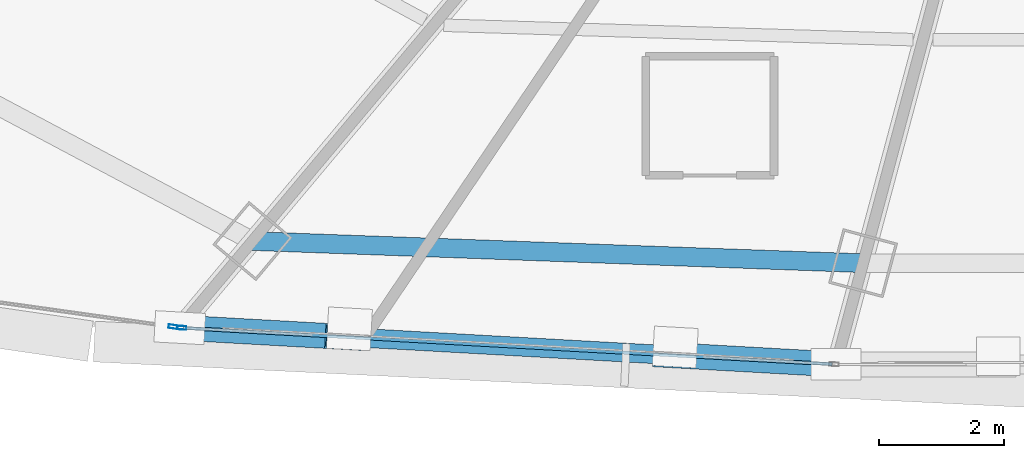
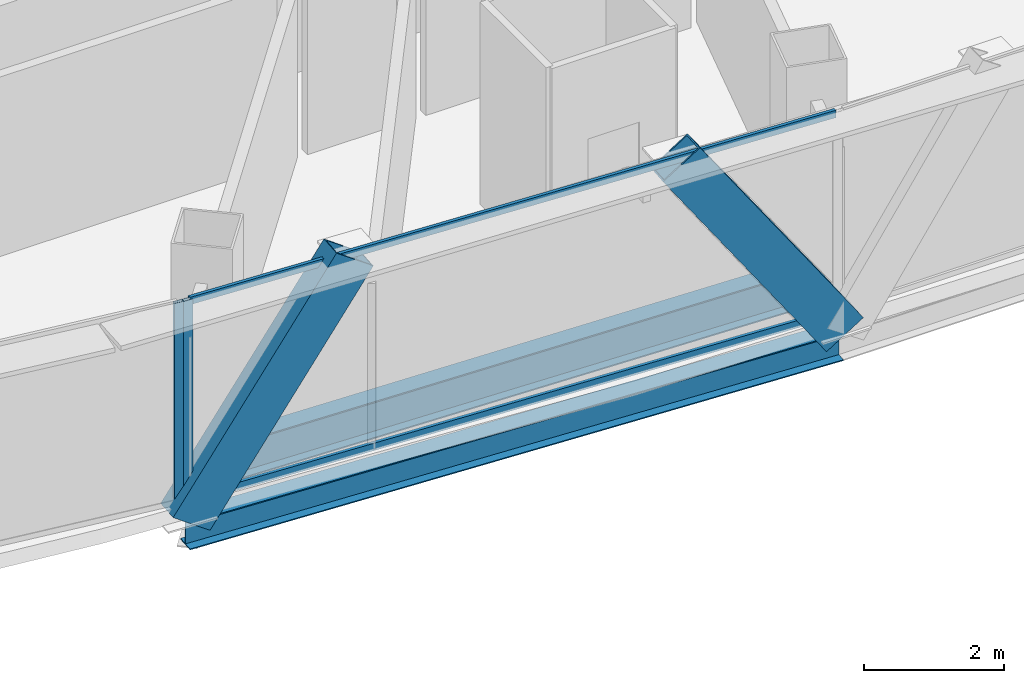
# One storey, part 6 of 37: 6 members, 2 beams, 2 elements without a shape of their own.
"""IFC4 building model written with IfcOpenShell, lengths in metres."""

from ifc_helpers import new_model, si_unit, direction, frame, origin, origin_2d, place, context, subcontext, project, spatial, hollow_rectangle, i_section, extrude, source, transform, mapped, material, layer, layer_set, material_profile, profile_set, type_object, element, aggregate, save


model = new_model("IFC4")

# Units and contexts
model_context = context("Model", 3, precision=1e-05, world=origin(), true_north=direction((0.0, 1.0)))
body_context = subcontext(model_context, "Body", "Model", "MODEL_VIEW")
ifc_project = project(units=[si_unit("LENGTHUNIT", "METRE"), si_unit("AREAUNIT", "SQUARE_METRE"), si_unit("VOLUMEUNIT", "CUBIC_METRE"), si_unit("PLANEANGLEUNIT", "RADIAN"), si_unit("MASSUNIT", "GRAM", prefix="KILO"), si_unit("THERMODYNAMICTEMPERATUREUNIT", "KELVIN"), si_unit("POWERUNIT", "WATT")], contexts=[model_context])

# Site, building, storey
site_placement = place(None, origin())
site = spatial("IfcSite", under=ifc_project, at=site_placement, CompositionType="ELEMENT")
building_placement = place(site_placement, origin())
building = spatial("IfcBuilding", under=site, at=building_placement, Name="Yunzhuo Pagoda Commons", CompositionType="ELEMENT")
storey_placement = place(building_placement, frame((0.0, 0.0, 207.56005859375)))
storey = spatial("IfcBuildingStorey", under=building, at=storey_placement, Name="L52", CompositionType="ELEMENT", Elevation=207.56005859375)

# Beams
ifc_material_1 = material(Name="Structural steel Q355B", Category="steel")
ifc_material_profile_1 = material_profile(ifc_material_1, i_section(OverallWidth=0.300048828125, OverallDepth=0.64990234375, WebThickness=0.012939453125, FlangeThickness=0.02197265625, at=origin_2d()), Name="Structural steel Q355B")
ifc_profile_set_1 = profile_set([ifc_material_profile_1], Name="Structural steel Q355B")
beam_type_1 = type_object("IfcBeamType", Name="B-RG2 Beam HN 650x300x13x22", PredefinedType="BEAM", material=ifc_profile_set_1)
shared_shape_1 = source(origin(), body_context, "Body", "SweptSolid", [
    extrude(i_section(OverallWidth=0.300048828125, OverallDepth=0.64990234375, WebThickness=0.012939453125, FlangeThickness=0.02197265625, at=origin_2d()), origin(), (0.0, 0.0, 1.0), 9.755126953125),
])
beam_1_placement = place(storey_placement, frame((33.538818359375, 16.4658203125, -0.5849609375), z_axis=(0.999343161351, -0.036238734258, 0.0), x_axis=(0.036238734258, 0.999343161351, 0.0)))
element("IfcBeam", 1, at=beam_1_placement, inside=storey, type_object=beam_type_1, Name="L52 column-ring beam 1", PredefinedType="BEAM", context=body_context, shape_type="MappedRepresentation", body=[
    mapped(shared_shape_1, transform((0.0, 0.0, 0.0), scale=1.0)),
])
ifc_material_profile_2 = material_profile(ifc_material_1, i_section(OverallWidth=0.300048828125, OverallDepth=0.488037109375, WebThickness=0.010986328125, FlangeThickness=0.01806640625, at=origin_2d()), Name="Structural steel Q355B")
ifc_profile_set_2 = profile_set([ifc_material_profile_2], Name="Structural steel Q355B")
beam_type_2 = type_object("IfcBeamType", Name="B-SP1 Beam HM 488x300x11x18", PredefinedType="BEAM", material=ifc_profile_set_2)
shared_shape_2 = source(origin(), body_context, "Body", "SweptSolid", [
    extrude(i_section(OverallWidth=0.300048828125, OverallDepth=0.488037109375, WebThickness=0.010986328125, FlangeThickness=0.01806640625, at=origin_2d()), origin(), (0.0, 0.0, 1.0), 10.49267578125),
])
beam_2_placement = place(storey_placement, frame((32.378173828125, 15.082763671875, -0.504150390625), z_axis=(0.998439593407, -0.055842441895, 0.0), x_axis=(0.055842441895, 0.998439593407, 0.0)))
element("IfcBeam", 2, at=beam_2_placement, inside=storey, type_object=beam_type_2, Name="L52 facade edge spandrel beam F1.1", PredefinedType="BEAM", context=body_context, shape_type="MappedRepresentation", body=[
    mapped(shared_shape_2, transform((0.0, 0.0, 0.0), scale=1.0)),
])

# Members
ifc_material_profile_3 = material_profile(ifc_material_1, hollow_rectangle(XDim=0.39990234375, YDim=0.719970703125, WallThickness=0.02392578125, at=origin_2d()), Name="Structural steel Q355B")
ifc_profile_set_3 = profile_set([ifc_material_profile_3], Name="Structural steel Q355B")
member_type_1 = type_object("IfcMemberType", Name="M-DL2 Brace BOX 720x400x24", PredefinedType="BRACE", material=ifc_profile_set_3)
shared_shape_3 = source(origin(), body_context, "Body", "SweptSolid", [
    extrude(hollow_rectangle(XDim=0.39990234375, YDim=0.719970703125, WallThickness=0.02392578125, at=origin_2d()), origin(), (0.0, 0.0, 1.0), 4.61767578125),
])
member_1_placement = place(storey_placement, frame((32.378173828125, 15.082763671875, -0.260009765625), z_axis=(0.567249812106, -0.031775294722, 0.822932549673), x_axis=(0.055928725238, 0.998434763865, 0.0)))
element("IfcMember", 3, at=member_1_placement, inside=storey, type_object=member_type_1, Name="L52 facade diamond brace F1.1L", PredefinedType="BRACE", context=body_context, shape_type="MappedRepresentation", body=[
    mapped(shared_shape_3, transform((0.0, 0.0, 0.0), scale=1.0)),
])
shared_shape_4 = source(origin(), body_context, "Body", "SweptSolid", [
    extrude(hollow_rectangle(XDim=0.39990234375, YDim=0.719970703125, WallThickness=0.02392578125, at=origin_2d()), origin(), (0.0, 0.0, 1.0), 4.617431640625),
])
member_2_placement = place(storey_placement, frame((42.8544921875, 14.496826171875, -0.260009765625), z_axis=(-0.567213952118, 0.03177624769, 0.822957230119), x_axis=(-0.05593392227, -0.998434472732, 0.0)))
element("IfcMember", 4, at=member_2_placement, inside=storey, type_object=member_type_1, Name="L52 facade diamond brace F1.1R", PredefinedType="BRACE", context=body_context, shape_type="MappedRepresentation", body=[
    mapped(shared_shape_4, transform((0.0, 0.0, 0.0), scale=1.0)),
])

# Curtain wall, member
ifc_material_2 = material(Name="Anodized aluminium 6063-T6", Category="aluminium")
ifc_layer = layer(ifc_material_2, 0.14990234375)
ifc_layer_set = layer_set([ifc_layer], Name="Anodized aluminium 6063-T6")
curtain_wall_type = type_object("IfcCurtainWallType", Name="CW-MID Mid-Zone Ribbon Curtain Wall", PredefinedType="NOTDEFINED", material=ifc_layer_set)
curtain_wall_1_placement = place(storey_placement, origin())
curtain_wall_1 = element("IfcCurtainWall", 5, at=curtain_wall_1_placement, inside=storey, type_object=curtain_wall_type, Name="L52 curtain wall CW-L52-F1B2", PredefinedType="NOTDEFINED")
ifc_material_profile_4 = material_profile(ifc_material_2, hollow_rectangle(XDim=0.06005859375, YDim=0.14990234375, WallThickness=0.00390625, at=origin_2d()), Name="Anodized aluminium 6063-T6")
ifc_profile_set_4 = profile_set([ifc_material_profile_4], Name="Anodized aluminium 6063-T6")
member_type_2 = type_object("IfcMemberType", Name="CW-MID-M Mullion RHS 150x60x4", PredefinedType="MULLION", material=ifc_profile_set_4)
shared_shape_5 = source(origin(), body_context, "Body", "SweptSolid", [
    extrude(hollow_rectangle(XDim=0.06005859375, YDim=0.14990234375, WallThickness=0.00390625, at=origin_2d()), origin(), (0.0, 0.0, 1.0), 3.5400390625),
])
member_3_placement = place(storey_placement, frame((32.407958984375, 15.0810546875, 0.0), z_axis=(0.0, 0.0, 1.0), x_axis=(0.055819443993, 0.998440879408, 0.0)))
member_3 = element("IfcMember", 6, at=member_3_placement, type_object=member_type_2, Name="CW mullion 1", PredefinedType="MULLION", context=body_context, shape_type="MappedRepresentation", body=[
    mapped(shared_shape_5, transform((0.0, 0.0, 0.0), scale=1.0)),
])

curtain_wall_2_placement = place(storey_placement, origin())
curtain_wall_2 = element("IfcCurtainWall", 7, at=curtain_wall_2_placement, inside=storey, type_object=curtain_wall_type, Name="L52 curtain wall CW-L52-F1B1", PredefinedType="NOTDEFINED")
member_4_placement = place(storey_placement, frame((32.274169921875, 15.09716796875, 0.0), z_axis=(0.0, 0.0, 1.0), x_axis=(0.138819494362, 0.990317700531, 0.0)))
member_4 = element("IfcMember", 8, at=member_4_placement, type_object=member_type_2, Name="CW mullion 2", PredefinedType="MULLION", context=body_context, shape_type="MappedRepresentation", body=[
    mapped(shared_shape_5, transform((0.0, 0.0, 0.0), scale=1.0)),
])
aggregate(curtain_wall_2, [member_4])

# Member
ifc_material_profile_5 = material_profile(ifc_material_2, hollow_rectangle(XDim=0.054931640625, YDim=0.1298828125, WallThickness=0.00341796875, at=origin_2d()), Name="Anodized aluminium 6063-T6")
ifc_profile_set_5 = profile_set([ifc_material_profile_5], Name="Anodized aluminium 6063-T6")
member_type_3 = type_object("IfcMemberType", Name="CW-MID-T Transom RHS 130x55x3.5", PredefinedType="USERDEFINED", material=ifc_profile_set_5)
shared_shape_6 = source(origin(), body_context, "Body", "SweptSolid", [
    extrude(hollow_rectangle(XDim=0.054931640625, YDim=0.1298828125, WallThickness=0.00341796875, at=origin_2d()), origin(), (0.0, 0.0, 1.0), 10.372802734375),
])
member_5_placement = place(storey_placement, frame((32.43798828125, 15.0791015625, 0.02734375), z_axis=(0.998441685065, -0.055805031359, 0.0), x_axis=(0.055805031359, 0.998441685065, 0.0)))
member_5 = element("IfcMember", 9, at=member_5_placement, type_object=member_type_3, Name="CW transom 1.1", ObjectType="TRANSOM", PredefinedType="USERDEFINED", context=body_context, shape_type="MappedRepresentation", body=[
    mapped(shared_shape_6, transform((0.0, 0.0, 0.0), scale=1.0)),
])

member_6_placement = place(storey_placement, frame((32.43798828125, 15.0791015625, 3.512451171875), z_axis=(0.998441685065, -0.055805031359, 0.0), x_axis=(0.055805031359, 0.998441685065, 0.0)))
member_6 = element("IfcMember", 10, at=member_6_placement, type_object=member_type_3, Name="CW transom 1.2", ObjectType="TRANSOM", PredefinedType="USERDEFINED", context=body_context, shape_type="MappedRepresentation", body=[
    mapped(shared_shape_6, transform((0.0, 0.0, 0.0), scale=1.0)),
])

aggregate(curtain_wall_1, [member_3, member_5, member_6])

save(model, "model.ifc")
